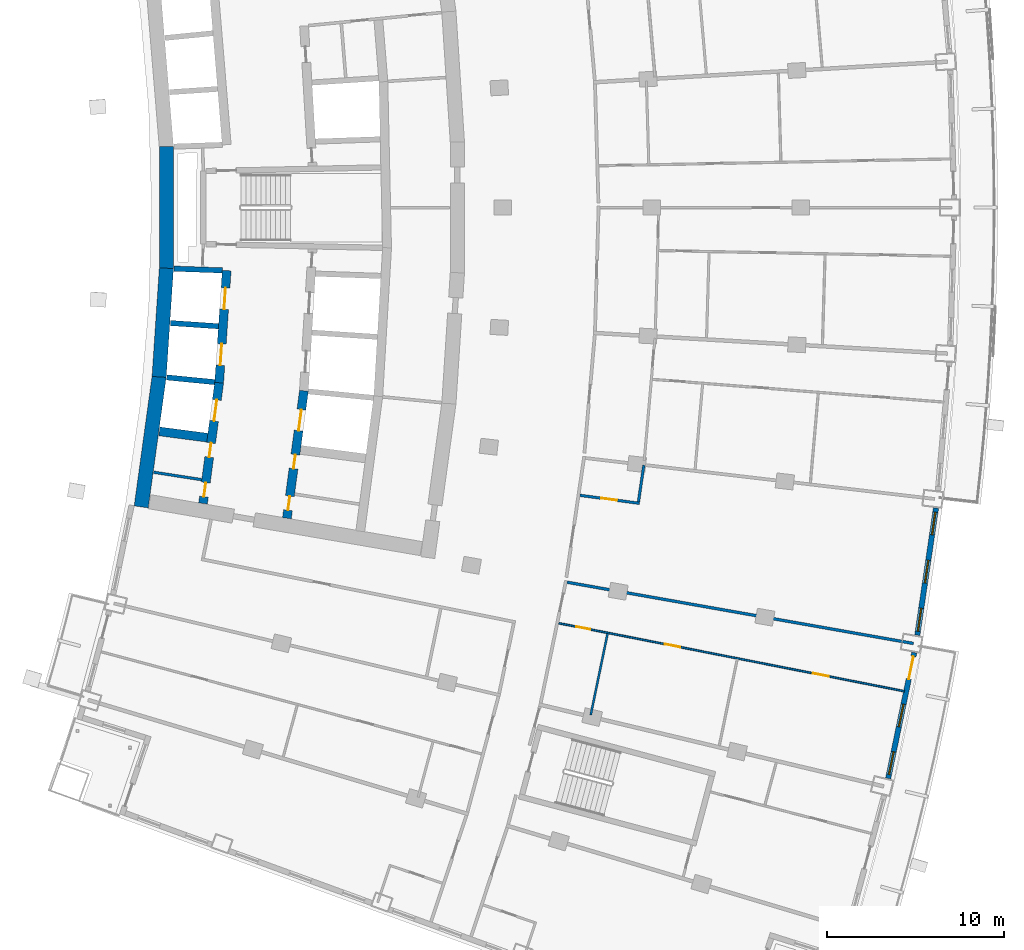
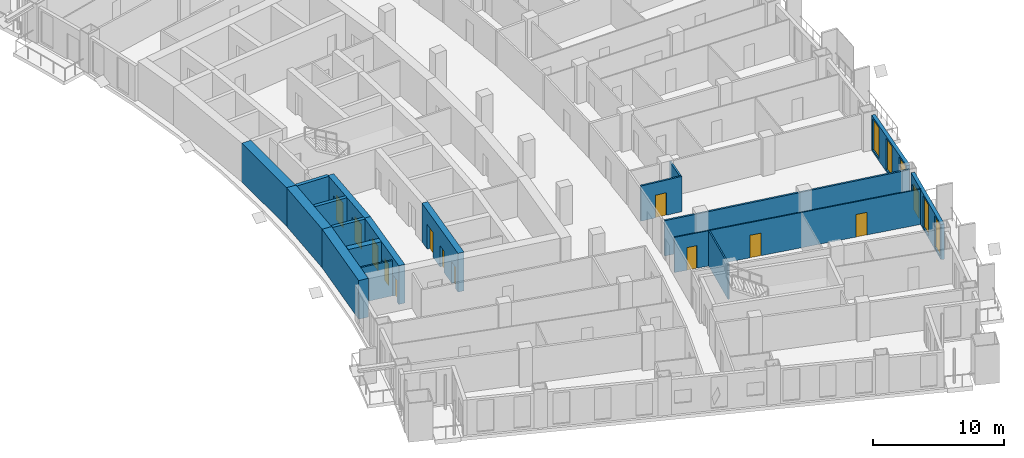
# One storey, part 15 of 25: 18 walls, 13 doors, 5 windows, 18 openings.
"""IFC4 building model written with IfcOpenShell, lengths in metres."""

from ifc_helpers import new_model, si_unit, direction, frame, frame_2d, origin, place, context, subcontext, project, spatial, rectangle, extrude, material, layer, layer_set, type_object, element, fill, save


model = new_model("IFC4")

# Units and contexts
model_context = context("Model", 3, precision=1e-05, world=origin(), true_north=direction((0.0, 1.0)))
body_context = subcontext(model_context, "Body", "Model", "MODEL_VIEW")
ifc_project = project(units=[si_unit("LENGTHUNIT", "METRE"), si_unit("AREAUNIT", "SQUARE_METRE"), si_unit("VOLUMEUNIT", "CUBIC_METRE"), si_unit("PLANEANGLEUNIT", "RADIAN"), si_unit("MASSUNIT", "GRAM", prefix="KILO")], contexts=[model_context])

# Site, building, storey
site_placement = place(None, origin())
site = spatial("IfcSite", under=ifc_project, at=site_placement, CompositionType="ELEMENT")
building_placement = place(site_placement, origin())
building = spatial("IfcBuilding", under=site, at=building_placement, Name="Alderwake Tower", CompositionType="ELEMENT")
storey_placement = place(building_placement, frame((0.0, 0.0, 111.199951171875)))
storey = spatial("IfcBuildingStorey", under=building, at=storey_placement, Name="L27", CompositionType="ELEMENT", Elevation=111.199951171875)

# Walls
ifc_material_1 = material(Name="Gypsum shaft wall system, rated")
ifc_layer_1 = layer(ifc_material_1, 0.14990234375)
ifc_layer_set_1 = layer_set([ifc_layer_1], Name="Core room partition 150")
wall_type_1 = type_object("IfcWallType", Name="Core room partition 150", PredefinedType="PARTITIONING", material=ifc_layer_set_1)
wall_1_placement = place(storey_placement, frame((16.122802734375, 46.082763671875, 0.0), z_axis=(0.0, 0.0, 1.0), x_axis=(0.988174136122, -0.153335829796, 0.0)))
element("IfcWall", 1, at=wall_1_placement, inside=storey, type_object=wall_type_1, Name="CW/L27/PR-161_+0", PredefinedType="PARTITIONING", context=body_context, shape_type="SweptSolid", body=[
    extrude(rectangle(XDim=2.740234375, YDim=0.14990234375, at=frame_2d((1.3701171875, 0.0))), origin(), (0.0, 0.0, 1.0), 3.280029296875),
])
ifc_material_2 = material(Name="Concrete C70/85", Category="concrete")
ifc_layer_2 = layer(ifc_material_2, 0.800048828125)
ifc_layer_set_2 = layer_set([ifc_layer_2], Name="Core wall outer 800 C70-85")
wall_type_2 = type_object("IfcWallType", Name="Core wall outer 800 C70-85", PredefinedType="SHEAR", material=ifc_layer_set_2)
wall_2_placement = place(storey_placement, frame((15.419921875, 44.12890625, 0.0), z_axis=(0.0, 0.0, 1.0), x_axis=(0.13634256868, 0.990661750531, 0.0)))
element("IfcWall", 2, at=wall_2_placement, inside=storey, type_object=wall_type_2, Name="Core wall CW.042", PredefinedType="SHEAR", context=body_context, shape_type="SweptSolid", body=[
    extrude(rectangle(XDim=7.42578125, YDim=0.800048828125, at=frame_2d((3.712890625, 0.0))), origin(), (0.0, 0.0, 1.0), 3.60009765625),
])
wall_3_placement = place(storey_placement, frame((16.429443359375, 51.45654296875, 0.0), z_axis=(0.0, 0.0, 1.0), x_axis=(0.066885651624, 0.997760647454, 0.0)))
element("IfcWall", 3, at=wall_3_placement, inside=storey, type_object=wall_type_2, Name="Core wall CW.041", PredefinedType="SHEAR", context=body_context, shape_type="SweptSolid", body=[
    extrude(rectangle(XDim=6.14306640625, YDim=0.800048828125, at=frame_2d((3.071533203125, 0.0))), origin(), (0.0, 0.0, 1.0), 3.60009765625),
])
wall_4_placement = place(storey_placement, frame((16.83935546875, 57.558349609375, 0.0), z_axis=(0.0, 0.0, 1.0), x_axis=(0.0, 1.0, 0.0)))
element("IfcWall", 4, at=wall_4_placement, inside=storey, type_object=wall_type_2, Name="Core wall CW.043", PredefinedType="SHEAR", context=body_context, shape_type="SweptSolid", body=[
    extrude(rectangle(XDim=6.886474609375, YDim=0.800048828125, at=frame_2d((3.443359375, 0.0))), origin(), (0.0, 0.0, 1.0), 3.60009765625),
])
ifc_material_3 = material(Name="Concrete C70/85", Category="concrete")
ifc_layer_3 = layer(ifc_material_3, 0.300048828125)
ifc_layer_set_3 = layer_set([ifc_layer_3], Name="Core wall shaft 300 C70-85")
wall_type_3 = type_object("IfcWallType", Name="Core wall shaft 300 C70-85", PredefinedType="SHEAR", material=ifc_layer_set_3)
wall_5_placement = place(storey_placement, frame((16.8583984375, 51.4287109375, 0.0), z_axis=(0.0, 0.0, 1.0), x_axis=(0.995157330456, -0.098294901394, 0.0)))
element("IfcWall", 5, at=wall_5_placement, inside=storey, type_object=wall_type_3, Name="Core wall CW.065", PredefinedType="SHEAR", context=body_context, shape_type="SweptSolid", body=[
    extrude(rectangle(XDim=2.7197265625, YDim=0.300048828125, at=frame_2d((1.35986328125, 0.0))), origin(), (0.0, 0.0, 1.0), 3.60009765625),
])
wall_6_placement = place(storey_placement, frame((17.06396484375, 54.492919921875, 0.0), z_axis=(0.0, 0.0, 1.0), x_axis=(0.997758851023, -0.066912444326, 0.0)))
element("IfcWall", 6, at=wall_6_placement, inside=storey, type_object=wall_type_3, Name="Core wall CW.079", PredefinedType="SHEAR", context=body_context, shape_type="SweptSolid", body=[
    extrude(rectangle(XDim=2.71826171875, YDim=0.300048828125, at=frame_2d((1.359130859375, 0.0))), origin(), (0.0, 0.0, 1.0), 3.60009765625),
])
wall_7_placement = place(storey_placement, frame((17.269287109375, 57.556884765625, 0.0), z_axis=(0.0, 0.0, 1.0), x_axis=(0.999374351644, -0.035368139275, 0.0)))
element("IfcWall", 7, at=wall_7_placement, inside=storey, type_object=wall_type_3, Name="Core wall CW.076", PredefinedType="SHEAR", context=body_context, shape_type="SweptSolid", body=[
    extrude(rectangle(XDim=2.7197265625, YDim=0.300048828125, at=frame_2d((1.35986328125, 0.0))), origin(), (0.0, 0.0, 1.0), 3.60009765625),
])

# Wall, openings, doors
ifc_material_4 = material(Name="Concrete C70/85", Category="concrete")
ifc_layer_4 = layer(ifc_material_4, 0.5)
ifc_layer_set_4 = layer_set([ifc_layer_4], Name="Core wall spine 500 C70-85")
wall_type_4 = type_object("IfcWallType", Name="Core wall spine 500 C70-85", PredefinedType="SHEAR", material=ifc_layer_set_4)
wall_8_placement = place(storey_placement, frame((19.81494140625, 51.145263671875, 0.0), z_axis=(0.0, 0.0, 1.0), x_axis=(-0.132349652161, -0.991203091991, 0.0)))
wall_8 = element("IfcWall", 8, at=wall_8_placement, inside=storey, type_object=wall_type_4, Name="Core wall CW.033", PredefinedType="SHEAR", context=body_context, shape_type="SweptSolid", body=[
    extrude(rectangle(XDim=6.880615234375, YDim=0.5, at=frame_2d((3.4404296875, 0.0))), origin(), (0.0, 0.0, 1.0), 3.60009765625),
])
opening_1_placement = place(wall_8_placement, frame((0.99072265625, 0.0, 0.0)))
opening_1 = element("IfcOpeningElement", 9, at=opening_1_placement, cuts=wall_8, Name="Opening LD-LP1", PredefinedType="OPENING", context=body_context, shape_type="SweptSolid", body=[
    extrude(rectangle(XDim=1.199951171875, YDim=2.300048828125, at=frame_2d((0.60009765625, 1.14990234375))), frame((0.0, 0.260009765625, 0.0), z_axis=(0.0, -1.0, 0.0), x_axis=(1.0, 0.0, 0.0)), (0.0, 0.0, 1.0), 0.52001953125),
])
opening_2_placement = place(wall_8_placement, frame((5.698486328125, 0.0, 0.0)))
opening_2 = element("IfcOpeningElement", 10, at=opening_2_placement, cuts=wall_8, Name="Opening C009", PredefinedType="OPENING", context=body_context, shape_type="SweptSolid", body=[
    extrude(rectangle(XDim=0.800048828125, YDim=2.0, at=frame_2d((0.39990234375, 1.0))), frame((0.0, 0.260009765625, 0.0), z_axis=(0.0, -1.0, 0.0), x_axis=(1.0, 0.0, 0.0)), (0.0, 0.0, 1.0), 0.52001953125),
])
opening_3_placement = place(wall_8_placement, frame((3.444580078125, 0.0, 0.0)))
opening_3 = element("IfcOpeningElement", 11, at=opening_3_placement, cuts=wall_8, Name="Opening C010", PredefinedType="OPENING", context=body_context, shape_type="SweptSolid", body=[
    extrude(rectangle(XDim=0.800048828125, YDim=2.0, at=frame_2d((0.39990234375, 1.0))), frame((0.0, 0.260009765625, 0.0), z_axis=(0.0, -1.0, 0.0), x_axis=(1.0, 0.0, 0.0)), (0.0, 0.0, 1.0), 0.52001953125),
])
ifc_material_5 = material(Name="Stainless steel sliding leaf", Category="steel")
door_type_1 = type_object("IfcDoorType", Name="Lift landing door 1200", OperationType="SLIDING_TO_LEFT", PredefinedType="DOOR", material=ifc_material_5)
door_1_placement = place(opening_1_placement, origin())
door_1 = element("IfcDoor", 12, at=door_1_placement, inside=storey, type_object=door_type_1, Name="Lift landing door LP1", OperationType="SLIDING_TO_LEFT", OverallHeight=2.300048828125, OverallWidth=1.199951171875, PredefinedType="DOOR", context=body_context, shape_type="SweptSolid", body=[
    extrude(rectangle(XDim=1.199951171875, YDim=2.300048828125, at=frame_2d((0.60009765625, 1.14990234375))), frame((0.0, 0.02490234375, 0.0), z_axis=(0.0, -1.0, 0.0), x_axis=(1.0, 0.0, 0.0)), (0.0, 0.0, 1.0), 0.050048828125),
])
fill(opening_1, door_1)
ifc_material_6 = material(Name="Painted steel leaf, rated", Category="steel")
door_type_2 = type_object("IfcDoorType", Name="Riser access door 800", OperationType="SINGLE_SWING_LEFT", PredefinedType="DOOR", material=ifc_material_6)
door_2_placement = place(opening_2_placement, origin())
door_2 = element("IfcDoor", 13, at=door_2_placement, inside=storey, type_object=door_type_2, Name="Riser access door", OperationType="SINGLE_SWING_LEFT", OverallHeight=2.0, OverallWidth=0.800048828125, PredefinedType="DOOR", context=body_context, shape_type="SweptSolid", body=[
    extrude(rectangle(XDim=0.800048828125, YDim=2.0, at=frame_2d((0.39990234375, 1.0))), frame((0.0, 0.02490234375, 0.0), z_axis=(0.0, -1.0, 0.0), x_axis=(1.0, 0.0, 0.0)), (0.0, 0.0, 1.0), 0.050048828125),
])
fill(opening_2, door_2)
door_3_placement = place(opening_3_placement, origin())
door_3 = element("IfcDoor", 14, at=door_3_placement, inside=storey, type_object=door_type_2, Name="Riser access door", OperationType="SINGLE_SWING_RIGHT", OverallHeight=2.0, OverallWidth=0.800048828125, PredefinedType="DOOR", context=body_context, shape_type="SweptSolid", body=[
    extrude(rectangle(XDim=0.800048828125, YDim=2.0, at=frame_2d((0.39990234375, 1.0))), frame((0.0, 0.02490234375, 0.0), z_axis=(0.0, -1.0, 0.0), x_axis=(1.0, 0.0, 0.0)), (0.0, 0.0, 1.0), 0.050048828125),
])
fill(opening_3, door_3)

wall_9_placement = place(storey_placement, frame((19.813232421875, 51.1279296875, 0.0), z_axis=(0.0, 0.0, 1.0), x_axis=(0.066907604831, 0.997759175561, 0.0)))
wall_9 = element("IfcWall", 15, at=wall_9_placement, inside=storey, type_object=wall_type_4, Name="Core wall CW.032", PredefinedType="SHEAR", context=body_context, shape_type="SweptSolid", body=[
    extrude(rectangle(XDim=6.338134765625, YDim=0.5, at=frame_2d((3.1689453125, 0.0))), origin(), (0.0, 0.0, 1.0), 3.60009765625),
])
opening_4_placement = place(wall_9_placement, frame((0.990966796875, 0.0, 0.0)))
opening_4 = element("IfcOpeningElement", 16, at=opening_4_placement, cuts=wall_9, Name="Opening LD-LP2", PredefinedType="OPENING", context=body_context, shape_type="SweptSolid", body=[
    extrude(rectangle(XDim=1.199951171875, YDim=2.300048828125, at=frame_2d((0.60009765625, 1.14990234375))), frame((0.0, 0.260009765625, 0.0), z_axis=(0.0, -1.0, 0.0), x_axis=(1.0, 0.0, 0.0)), (0.0, 0.0, 1.0), 0.52001953125),
])
opening_5_placement = place(wall_9_placement, frame((4.156005859375, 0.0, 0.0)))
opening_5 = element("IfcOpeningElement", 17, at=opening_5_placement, cuts=wall_9, Name="Opening LD-LP3", PredefinedType="OPENING", context=body_context, shape_type="SweptSolid", body=[
    extrude(rectangle(XDim=1.199951171875, YDim=2.300048828125, at=frame_2d((0.60009765625, 1.14990234375))), frame((0.0, 0.260009765625, 0.0), z_axis=(0.0, -1.0, 0.0), x_axis=(1.0, 0.0, 0.0)), (0.0, 0.0, 1.0), 0.52001953125),
])
door_4_placement = place(opening_4_placement, origin())
door_4 = element("IfcDoor", 18, at=door_4_placement, inside=storey, type_object=door_type_1, Name="Lift landing door LP2", OperationType="SLIDING_TO_LEFT", OverallHeight=2.300048828125, OverallWidth=1.199951171875, PredefinedType="DOOR", context=body_context, shape_type="SweptSolid", body=[
    extrude(rectangle(XDim=1.199951171875, YDim=2.300048828125, at=frame_2d((0.60009765625, 1.14990234375))), frame((0.0, 0.02490234375, 0.0), z_axis=(0.0, -1.0, 0.0), x_axis=(1.0, 0.0, 0.0)), (0.0, 0.0, 1.0), 0.050048828125),
])
fill(opening_4, door_4)
door_5_placement = place(opening_5_placement, origin())
door_5 = element("IfcDoor", 19, at=door_5_placement, inside=storey, type_object=door_type_1, Name="Lift landing door LP3", OperationType="SLIDING_TO_LEFT", OverallHeight=2.300048828125, OverallWidth=1.199951171875, PredefinedType="DOOR", context=body_context, shape_type="SweptSolid", body=[
    extrude(rectangle(XDim=1.199951171875, YDim=2.300048828125, at=frame_2d((0.60009765625, 1.14990234375))), frame((0.0, 0.02490234375, 0.0), z_axis=(0.0, -1.0, 0.0), x_axis=(1.0, 0.0, 0.0)), (0.0, 0.0, 1.0), 0.050048828125),
])
fill(opening_5, door_5)

wall_10_placement = place(storey_placement, frame((23.631103515625, 43.489501953125, 0.0), z_axis=(0.0, 0.0, 1.0), x_axis=(0.132532135635, 0.991178708924, 0.0)))
wall_10 = element("IfcWall", 20, at=wall_10_placement, inside=storey, type_object=wall_type_4, Name="Core wall CW.047", PredefinedType="SHEAR", context=body_context, shape_type="SweptSolid", body=[
    extrude(rectangle(XDim=7.248779296875, YDim=0.5, at=frame_2d((3.62451171875, 0.0))), origin(), (0.0, 0.0, 1.0), 3.60009765625),
])
opening_6_placement = place(wall_10_placement, frame((4.981201171875, 0.0, 0.0)))
opening_6 = element("IfcOpeningElement", 21, at=opening_6_placement, cuts=wall_10, Name="Opening LD-LP4", PredefinedType="OPENING", context=body_context, shape_type="SweptSolid", body=[
    extrude(rectangle(XDim=1.199951171875, YDim=2.300048828125, at=frame_2d((0.60009765625, 1.14990234375))), frame((0.0, 0.260009765625, 0.0), z_axis=(0.0, -1.0, 0.0), x_axis=(1.0, 0.0, 0.0)), (0.0, 0.0, 1.0), 0.52001953125),
])
opening_7_placement = place(wall_10_placement, frame((0.4580078125, 0.0, 0.0)))
opening_7 = element("IfcOpeningElement", 22, at=opening_7_placement, cuts=wall_10, Name="Opening C016", PredefinedType="OPENING", context=body_context, shape_type="SweptSolid", body=[
    extrude(rectangle(XDim=0.800048828125, YDim=2.0, at=frame_2d((0.39990234375, 1.0))), frame((0.0, 0.260009765625, 0.0), z_axis=(0.0, -1.0, 0.0), x_axis=(1.0, 0.0, 0.0)), (0.0, 0.0, 1.0), 0.52001953125),
])
opening_8_placement = place(wall_10_placement, frame((2.819580078125, 0.0, 0.0)))
opening_8 = element("IfcOpeningElement", 23, at=opening_8_placement, cuts=wall_10, Name="Opening C017", PredefinedType="OPENING", context=body_context, shape_type="SweptSolid", body=[
    extrude(rectangle(XDim=0.800048828125, YDim=2.0, at=frame_2d((0.39990234375, 1.0))), frame((0.0, 0.260009765625, 0.0), z_axis=(0.0, -1.0, 0.0), x_axis=(1.0, 0.0, 0.0)), (0.0, 0.0, 1.0), 0.52001953125),
])
door_6_placement = place(opening_6_placement, origin())
door_6 = element("IfcDoor", 24, at=door_6_placement, inside=storey, type_object=door_type_1, Name="Lift landing door LP4", OperationType="SLIDING_TO_LEFT", OverallHeight=2.300048828125, OverallWidth=1.199951171875, PredefinedType="DOOR", context=body_context, shape_type="SweptSolid", body=[
    extrude(rectangle(XDim=1.199951171875, YDim=2.300048828125, at=frame_2d((0.60009765625, 1.14990234375))), frame((0.0, 0.02490234375, 0.0), z_axis=(0.0, -1.0, 0.0), x_axis=(1.0, 0.0, 0.0)), (0.0, 0.0, 1.0), 0.050048828125),
])
fill(opening_6, door_6)
door_7_placement = place(opening_7_placement, origin())
door_7 = element("IfcDoor", 25, at=door_7_placement, inside=storey, type_object=door_type_2, Name="Riser access door", OperationType="SINGLE_SWING_LEFT", OverallHeight=2.0, OverallWidth=0.800048828125, PredefinedType="DOOR", context=body_context, shape_type="SweptSolid", body=[
    extrude(rectangle(XDim=0.800048828125, YDim=2.0, at=frame_2d((0.39990234375, 1.0))), frame((0.0, 0.02490234375, 0.0), z_axis=(0.0, -1.0, 0.0), x_axis=(1.0, 0.0, 0.0)), (0.0, 0.0, 1.0), 0.050048828125),
])
fill(opening_7, door_7)
door_8_placement = place(opening_8_placement, origin())
door_8 = element("IfcDoor", 26, at=door_8_placement, inside=storey, type_object=door_type_2, Name="Riser access door", OperationType="SINGLE_SWING_RIGHT", OverallHeight=2.0, OverallWidth=0.800048828125, PredefinedType="DOOR", context=body_context, shape_type="SweptSolid", body=[
    extrude(rectangle(XDim=0.800048828125, YDim=2.0, at=frame_2d((0.39990234375, 1.0))), frame((0.0, 0.02490234375, 0.0), z_axis=(0.0, -1.0, 0.0), x_axis=(1.0, 0.0, 0.0)), (0.0, 0.0, 1.0), 0.050048828125),
])
fill(opening_8, door_8)

# Walls
wall_11_placement = place(storey_placement, frame((16.43994140625, 48.38623046875, 0.0), z_axis=(0.0, 0.0, 1.0), x_axis=(0.991557472006, -0.129667959452, 0.0)))
element("IfcWall", 27, at=wall_11_placement, inside=storey, type_object=wall_type_4, Name="Core wall CW.067", PredefinedType="SHEAR", context=body_context, shape_type="SweptSolid", body=[
    extrude(rectangle(XDim=2.72998046875, YDim=0.5, at=frame_2d((1.364990234375, 0.0))), origin(), (0.0, 0.0, 1.0), 3.60009765625),
])
ifc_material_7 = material(Name="Gypsum board on metal studs, rated")
ifc_layer_5 = layer(ifc_material_7, 0.159912109375)
ifc_layer_set_5 = layer_set([ifc_layer_5], Name="Corridor wall 160")
wall_type_5 = type_object("IfcWallType", Name="Corridor wall 160", PredefinedType="PARTITIONING", material=ifc_layer_set_5)
wall_12_placement = place(storey_placement, frame((58.944091796875, 36.431884765625, 0.0), z_axis=(0.0, 0.0, 1.0), x_axis=(-0.984723605958, 0.174124725039, 0.0)))
element("IfcWall", 28, at=wall_12_placement, inside=storey, type_object=wall_type_5, Name="WL/L27/W43", PredefinedType="PARTITIONING", context=body_context, shape_type="SweptSolid", body=[
    extrude(rectangle(XDim=19.820068359375, YDim=0.159912109375, at=frame_2d((9.91015625, 0.0))), origin(), (0.0, 0.0, 1.0), 3.280029296875),
])

# Wall, openings, door, windows
ifc_material_8 = material(Name="Precast concrete C50/60 spandrel panel", Category="concrete")
ifc_layer_6 = layer(ifc_material_8, 0.300048828125)
ifc_layer_set_6 = layer_set([ifc_layer_6], Name="External wall EW1 Precast concrete C50/60 spandrel")
wall_type_6 = type_object("IfcWallType", Name="External wall EW1 Precast concrete C50/60 spandrel", PredefinedType="SOLIDWALL", material=ifc_layer_set_6)
wall_13_placement = place(storey_placement, frame((57.5234375, 28.828369140625, 0.0), z_axis=(0.0, 0.0, 1.0), x_axis=(0.202744971344, 0.97923157455, 0.0)))
wall_13 = element("IfcWall", 29, at=wall_13_placement, inside=storey, type_object=wall_type_6, Name="External wall 13", PredefinedType="SOLIDWALL", context=body_context, shape_type="SweptSolid", body=[
    extrude(rectangle(XDim=7.24072265625, YDim=0.300048828125, at=frame_2d((3.620361328125, 0.0))), origin(), (0.0, 0.0, 1.0), 3.280029296875),
])
opening_9_placement = place(wall_13_placement, frame((0.22900390625, 0.0, 0.199951171875)))
opening_9 = element("IfcOpeningElement", 30, at=opening_9_placement, cuts=wall_13, Name="Opening W1", PredefinedType="OPENING", context=body_context, shape_type="SweptSolid", body=[
    extrude(rectangle(XDim=1.300048828125, YDim=2.89990234375, at=frame_2d((0.64990234375, 1.449951171875))), frame((0.0, 0.159912109375, 0.0), z_axis=(0.0, -1.0, 0.0), x_axis=(1.0, 0.0, 0.0)), (0.0, 0.0, 1.0), 0.320068359375),
])
opening_10_placement = place(wall_13_placement, frame((2.970458984375, 0.0, 0.199951171875)))
opening_10 = element("IfcOpeningElement", 31, at=opening_10_placement, cuts=wall_13, Name="Opening W1", PredefinedType="OPENING", context=body_context, shape_type="SweptSolid", body=[
    extrude(rectangle(XDim=1.300048828125, YDim=2.89990234375, at=frame_2d((0.64990234375, 1.449951171875))), frame((0.0, 0.159912109375, 0.0), z_axis=(0.0, -1.0, 0.0), x_axis=(1.0, 0.0, 0.0)), (0.0, 0.0, 1.0), 0.320068359375),
])
opening_11_placement = place(wall_13_placement, frame((5.711669921875, 0.0, 0.0)))
opening_11 = element("IfcOpeningElement", 32, at=opening_11_placement, cuts=wall_13, Name="Opening D04", PredefinedType="OPENING", context=body_context, shape_type="SweptSolid", body=[
    extrude(rectangle(XDim=1.300048828125, YDim=2.39990234375, at=frame_2d((0.64990234375, 1.199951171875))), frame((0.0, 0.159912109375, 0.0), z_axis=(0.0, -1.0, 0.0), x_axis=(1.0, 0.0, 0.0)), (0.0, 0.0, 1.0), 0.320068359375),
])
ifc_material_9 = material(Name="Bronze tinted glass in aluminium frame", Category="aluminium")
door_type_3 = type_object("IfcDoorType", Name="Balcony door BD sliding", OperationType="SLIDING_TO_LEFT", PredefinedType="DOOR", material=ifc_material_9)
door_9_placement = place(opening_11_placement, origin())
door_9 = element("IfcDoor", 33, at=door_9_placement, inside=storey, type_object=door_type_3, Name="Door D04", OperationType="SLIDING_TO_LEFT", OverallHeight=2.39990234375, OverallWidth=1.300048828125, PredefinedType="DOOR", context=body_context, shape_type="SweptSolid", body=[
    extrude(rectangle(XDim=1.300048828125, YDim=2.39990234375, at=frame_2d((0.64990234375, 1.199951171875))), frame((0.0, 0.02490234375, 0.0), z_axis=(0.0, -1.0, 0.0), x_axis=(1.0, 0.0, 0.0)), (0.0, 0.0, 1.0), 0.050048828125),
])
fill(opening_11, door_9)
ifc_material_10 = material(Name="Bronze tinted glass in aluminium frame", Category="aluminium")
window_type = type_object("IfcWindowType", Name="Window W1 tall fixed and vent", PartitioningType="DOUBLE_PANEL_VERTICAL", PredefinedType="WINDOW", material=ifc_material_10)
window_1_placement = place(opening_9_placement, origin())
window_1 = element("IfcWindow", 34, at=window_1_placement, inside=storey, type_object=window_type, Name="Window W1 tall fixed and vent", OverallHeight=2.89990234375, OverallWidth=1.300048828125, PartitioningType="DOUBLE_PANEL_VERTICAL", PredefinedType="WINDOW", context=body_context, shape_type="SweptSolid", body=[
    extrude(rectangle(XDim=1.300048828125, YDim=2.89990234375, at=frame_2d((0.64990234375, 1.449951171875))), frame((0.0, 0.030029296875, 0.0), z_axis=(0.0, -1.0, 0.0), x_axis=(1.0, 0.0, 0.0)), (0.0, 0.0, 1.0), 0.06005859375),
])
fill(opening_9, window_1)
window_2_placement = place(opening_10_placement, origin())
window_2 = element("IfcWindow", 35, at=window_2_placement, inside=storey, type_object=window_type, Name="Window W1 tall fixed and vent", OverallHeight=2.89990234375, OverallWidth=1.300048828125, PartitioningType="DOUBLE_PANEL_VERTICAL", PredefinedType="WINDOW", context=body_context, shape_type="SweptSolid", body=[
    extrude(rectangle(XDim=1.300048828125, YDim=2.89990234375, at=frame_2d((0.64990234375, 1.449951171875))), frame((0.0, 0.030029296875, 0.0), z_axis=(0.0, -1.0, 0.0), x_axis=(1.0, 0.0, 0.0)), (0.0, 0.0, 1.0), 0.06005859375),
])
fill(opening_10, window_2)

# Wall, openings, windows
wall_14_placement = place(storey_placement, frame((59.1650390625, 36.90087890625, 0.0), z_axis=(0.0, 0.0, 1.0), x_axis=(0.145324114128, 0.989384102284, 0.0)))
wall_14 = element("IfcWall", 36, at=wall_14_placement, inside=storey, type_object=wall_type_6, Name="External wall 14", PredefinedType="SOLIDWALL", context=body_context, shape_type="SweptSolid", body=[
    extrude(rectangle(XDim=7.24072265625, YDim=0.300048828125, at=frame_2d((3.620361328125, 0.0))), origin(), (0.0, 0.0, 1.0), 3.280029296875),
])
opening_12_placement = place(wall_14_placement, frame((0.22900390625, 0.0, 0.199951171875)))
opening_12 = element("IfcOpeningElement", 37, at=opening_12_placement, cuts=wall_14, Name="Opening W1", PredefinedType="OPENING", context=body_context, shape_type="SweptSolid", body=[
    extrude(rectangle(XDim=1.300048828125, YDim=2.89990234375, at=frame_2d((0.64990234375, 1.449951171875))), frame((0.0, 0.159912109375, 0.0), z_axis=(0.0, -1.0, 0.0), x_axis=(1.0, 0.0, 0.0)), (0.0, 0.0, 1.0), 0.320068359375),
])
opening_13_placement = place(wall_14_placement, frame((2.97021484375, 0.0, 0.199951171875)))
opening_13 = element("IfcOpeningElement", 38, at=opening_13_placement, cuts=wall_14, Name="Opening W1", PredefinedType="OPENING", context=body_context, shape_type="SweptSolid", body=[
    extrude(rectangle(XDim=1.300048828125, YDim=2.89990234375, at=frame_2d((0.64990234375, 1.449951171875))), frame((0.0, 0.159912109375, 0.0), z_axis=(0.0, -1.0, 0.0), x_axis=(1.0, 0.0, 0.0)), (0.0, 0.0, 1.0), 0.320068359375),
])
opening_14_placement = place(wall_14_placement, frame((5.711669921875, 0.0, 0.199951171875)))
opening_14 = element("IfcOpeningElement", 39, at=opening_14_placement, cuts=wall_14, Name="Opening W1", PredefinedType="OPENING", context=body_context, shape_type="SweptSolid", body=[
    extrude(rectangle(XDim=1.300048828125, YDim=2.89990234375, at=frame_2d((0.64990234375, 1.449951171875))), frame((0.0, 0.159912109375, 0.0), z_axis=(0.0, -1.0, 0.0), x_axis=(1.0, 0.0, 0.0)), (0.0, 0.0, 1.0), 0.320068359375),
])
window_3_placement = place(opening_12_placement, origin())
window_3 = element("IfcWindow", 40, at=window_3_placement, inside=storey, type_object=window_type, Name="Window W1 tall fixed and vent", OverallHeight=2.89990234375, OverallWidth=1.300048828125, PartitioningType="DOUBLE_PANEL_VERTICAL", PredefinedType="WINDOW", context=body_context, shape_type="SweptSolid", body=[
    extrude(rectangle(XDim=1.300048828125, YDim=2.89990234375, at=frame_2d((0.64990234375, 1.449951171875))), frame((0.0, 0.030029296875, 0.0), z_axis=(0.0, -1.0, 0.0), x_axis=(1.0, 0.0, 0.0)), (0.0, 0.0, 1.0), 0.06005859375),
])
fill(opening_12, window_3)
window_4_placement = place(opening_13_placement, origin())
window_4 = element("IfcWindow", 41, at=window_4_placement, inside=storey, type_object=window_type, Name="Window W1 tall fixed and vent", OverallHeight=2.89990234375, OverallWidth=1.300048828125, PartitioningType="DOUBLE_PANEL_VERTICAL", PredefinedType="WINDOW", context=body_context, shape_type="SweptSolid", body=[
    extrude(rectangle(XDim=1.300048828125, YDim=2.89990234375, at=frame_2d((0.64990234375, 1.449951171875))), frame((0.0, 0.030029296875, 0.0), z_axis=(0.0, -1.0, 0.0), x_axis=(1.0, 0.0, 0.0)), (0.0, 0.0, 1.0), 0.06005859375),
])
fill(opening_13, window_4)
window_5_placement = place(opening_14_placement, origin())
window_5 = element("IfcWindow", 42, at=window_5_placement, inside=storey, type_object=window_type, Name="Window W1 tall fixed and vent", OverallHeight=2.89990234375, OverallWidth=1.300048828125, PartitioningType="DOUBLE_PANEL_VERTICAL", PredefinedType="WINDOW", context=body_context, shape_type="SweptSolid", body=[
    extrude(rectangle(XDim=1.300048828125, YDim=2.89990234375, at=frame_2d((0.64990234375, 1.449951171875))), frame((0.0, 0.030029296875, 0.0), z_axis=(0.0, -1.0, 0.0), x_axis=(1.0, 0.0, 0.0)), (0.0, 0.0, 1.0), 0.06005859375),
])
fill(opening_14, window_5)

# Wall, opening, door
ifc_material_11 = material(Name="Gypsum shaft wall system, rated")
ifc_layer_7 = layer(ifc_material_11, 0.14990234375)
ifc_layer_set_7 = layer_set([ifc_layer_7], Name="Riser and shaft wall 150")
wall_type_7 = type_object("IfcWallType", Name="Riser and shaft wall 150", PredefinedType="PARTITIONING", material=ifc_layer_set_7)
wall_15_placement = place(storey_placement, frame((40.147216796875, 44.7822265625, 0.0), z_axis=(0.0, 0.0, 1.0), x_axis=(0.991087891329, -0.133209577962, 0.0)))
wall_15 = element("IfcWall", 43, at=wall_15_placement, inside=storey, type_object=wall_type_7, Name="WL/L27/W14", PredefinedType="PARTITIONING", context=body_context, shape_type="SweptSolid", body=[
    extrude(rectangle(XDim=3.394287109375, YDim=0.14990234375, at=frame_2d((1.697265625, 0.0))), origin(), (0.0, 0.0, 1.0), 3.280029296875),
])
opening_15_placement = place(wall_15_placement, frame((1.209228515625, 0.0, 0.0)))
opening_15 = element("IfcOpeningElement", 44, at=opening_15_placement, cuts=wall_15, Name="Opening R07-AM1.2", PredefinedType="OPENING", context=body_context, shape_type="SweptSolid", body=[
    extrude(rectangle(XDim=0.89990234375, YDim=2.10009765625, at=frame_2d((0.449951171875, 1.050048828125))), frame((0.0, 0.0849609375, 0.0), z_axis=(0.0, -1.0, 0.0), x_axis=(1.0, 0.0, 0.0)), (0.0, 0.0, 1.0), 0.169921875),
])
ifc_material_12 = material(Name="Painted timber leaf", Category="wood")
door_type_4 = type_object("IfcDoorType", Name="Room door 900", OperationType="SINGLE_SWING_LEFT", PredefinedType="DOOR", material=ifc_material_12)
door_10_placement = place(opening_15_placement, origin())
door_10 = element("IfcDoor", 45, at=door_10_placement, inside=storey, type_object=door_type_4, Name="DR/L27/AM1.2", OperationType="SINGLE_SWING_LEFT", OverallHeight=2.10009765625, OverallWidth=0.89990234375, PredefinedType="DOOR", context=body_context, shape_type="SweptSolid", body=[
    extrude(rectangle(XDim=0.89990234375, YDim=2.10009765625, at=frame_2d((0.449951171875, 1.050048828125))), frame((0.0, 0.02490234375, 0.0), z_axis=(0.0, -1.0, 0.0), x_axis=(1.0, 0.0, 0.0)), (0.0, 0.0, 1.0), 0.050048828125),
])
fill(opening_15, door_10)

# Wall
wall_16_placement = place(storey_placement, frame((43.44775390625, 44.414306640625, 0.0), z_axis=(0.0, 0.0, 1.0), x_axis=(0.144502772087, 0.989504395573, 0.0)))
element("IfcWall", 46, at=wall_16_placement, inside=storey, type_object=wall_type_7, Name="WL/L27/W15", PredefinedType="PARTITIONING", context=body_context, shape_type="SweptSolid", body=[
    extrude(rectangle(XDim=2.0849609375, YDim=0.14990234375, at=frame_2d((1.04248046875, 0.0))), origin(), (0.0, 0.0, 1.0), 3.280029296875),
])

# Wall, openings, doors
ifc_material_13 = material(Name="Gypsum board on metal studs")
ifc_layer_8 = layer(ifc_material_13, 0.10009765625)
ifc_layer_set_8 = layer_set([ifc_layer_8], Name="Unit partition 100")
wall_type_8 = type_object("IfcWallType", Name="Unit partition 100", PredefinedType="PARTITIONING", material=ifc_layer_set_8)
wall_17_placement = place(storey_placement, frame((58.43701171875, 33.738037109375, 0.0), z_axis=(0.0, 0.0, 1.0), x_axis=(-0.98116765567, 0.193158047897, 0.0)))
wall_17 = element("IfcWall", 47, at=wall_17_placement, inside=storey, type_object=wall_type_8, Name="WL/L27/W71", PredefinedType="PARTITIONING", context=body_context, shape_type="SweptSolid", body=[
    extrude(rectangle(XDim=19.861572265625, YDim=0.10009765625, at=frame_2d((9.9306640625, 0.0))), origin(), (0.0, 0.0, 1.0), 3.280029296875),
])
opening_16_placement = place(wall_17_placement, frame((12.868896484375, 0.0, 0.0)))
opening_16 = element("IfcOpeningElement", 48, at=opening_16_placement, cuts=wall_17, Name="Opening R07-U05.1", PredefinedType="OPENING", context=body_context, shape_type="SweptSolid", body=[
    extrude(rectangle(XDim=0.89990234375, YDim=2.10009765625, at=frame_2d((0.449951171875, 1.050048828125))), frame((0.0, 0.06005859375, 0.0), z_axis=(0.0, -1.0, 0.0), x_axis=(1.0, 0.0, 0.0)), (0.0, 0.0, 1.0), 0.1201171875),
])
opening_17_placement = place(wall_17_placement, frame((18.052001953125, 0.0, 0.0)))
opening_17 = element("IfcOpeningElement", 49, at=opening_17_placement, cuts=wall_17, Name="Opening R07-U05.3", PredefinedType="OPENING", context=body_context, shape_type="SweptSolid", body=[
    extrude(rectangle(XDim=0.800048828125, YDim=2.10009765625, at=frame_2d((0.39990234375, 1.050048828125))), frame((0.0, 0.06005859375, 0.0), z_axis=(0.0, -1.0, 0.0), x_axis=(1.0, 0.0, 0.0)), (0.0, 0.0, 1.0), 0.1201171875),
])
opening_18_placement = place(wall_17_placement, frame((4.347412109375, 0.0, 0.0)))
opening_18 = element("IfcOpeningElement", 50, at=opening_18_placement, cuts=wall_17, Name="Opening R07-U05.4", PredefinedType="OPENING", context=body_context, shape_type="SweptSolid", body=[
    extrude(rectangle(XDim=0.89990234375, YDim=2.10009765625, at=frame_2d((0.449951171875, 1.050048828125))), frame((0.0, 0.06005859375, 0.0), z_axis=(0.0, -1.0, 0.0), x_axis=(1.0, 0.0, 0.0)), (0.0, 0.0, 1.0), 0.1201171875),
])
ifc_material_14 = material(Name="Painted timber leaf", Category="wood")
door_type_5 = type_object("IfcDoorType", Name="Bathroom door 800", OperationType="SINGLE_SWING_LEFT", PredefinedType="DOOR", material=ifc_material_14)
door_11_placement = place(opening_17_placement, origin())
door_11 = element("IfcDoor", 51, at=door_11_placement, inside=storey, type_object=door_type_5, Name="DR/L27/U05.3", OperationType="SINGLE_SWING_LEFT", OverallHeight=2.10009765625, OverallWidth=0.800048828125, PredefinedType="DOOR", context=body_context, shape_type="SweptSolid", body=[
    extrude(rectangle(XDim=0.800048828125, YDim=2.10009765625, at=frame_2d((0.39990234375, 1.050048828125))), frame((0.0, 0.02490234375, 0.0), z_axis=(0.0, -1.0, 0.0), x_axis=(1.0, 0.0, 0.0)), (0.0, 0.0, 1.0), 0.050048828125),
])
fill(opening_17, door_11)
door_12_placement = place(opening_16_placement, origin())
door_12 = element("IfcDoor", 52, at=door_12_placement, inside=storey, type_object=door_type_4, Name="DR/L27/U05.1", OperationType="SINGLE_SWING_LEFT", OverallHeight=2.10009765625, OverallWidth=0.89990234375, PredefinedType="DOOR", context=body_context, shape_type="SweptSolid", body=[
    extrude(rectangle(XDim=0.89990234375, YDim=2.10009765625, at=frame_2d((0.449951171875, 1.050048828125))), frame((0.0, 0.02490234375, 0.0), z_axis=(0.0, -1.0, 0.0), x_axis=(1.0, 0.0, 0.0)), (0.0, 0.0, 1.0), 0.050048828125),
])
fill(opening_16, door_12)
door_13_placement = place(opening_18_placement, origin())
door_13 = element("IfcDoor", 53, at=door_13_placement, inside=storey, type_object=door_type_4, Name="DR/L27/U05.4", OperationType="SINGLE_SWING_LEFT", OverallHeight=2.10009765625, OverallWidth=0.89990234375, PredefinedType="DOOR", context=body_context, shape_type="SweptSolid", body=[
    extrude(rectangle(XDim=0.89990234375, YDim=2.10009765625, at=frame_2d((0.449951171875, 1.050048828125))), frame((0.0, 0.02490234375, 0.0), z_axis=(0.0, -1.0, 0.0), x_axis=(1.0, 0.0, 0.0)), (0.0, 0.0, 1.0), 0.050048828125),
])
fill(opening_18, door_13)

# Wall
ifc_material_15 = material(Name="Moisture resistant gypsum board on metal studs")
ifc_layer_9 = layer(ifc_material_15, 0.1201171875)
ifc_layer_set_9 = layer_set([ifc_layer_9], Name="Wet room partition 120")
wall_type_9 = type_object("IfcWallType", Name="Wet room partition 120", PredefinedType="PARTITIONING", material=ifc_layer_set_9)
wall_18_placement = place(storey_placement, frame((40.75732421875, 32.402099609375, 0.0), z_axis=(0.0, 0.0, 1.0), x_axis=(0.202555554597, 0.97927077323, 0.0)))
element("IfcWall", 54, at=wall_18_placement, inside=storey, type_object=wall_type_9, Name="WL/L27/W54", PredefinedType="PARTITIONING", context=body_context, shape_type="SweptSolid", body=[
    extrude(rectangle(XDim=4.677734375, YDim=0.1201171875, at=frame_2d((2.3388671875, 0.0))), origin(), (0.0, 0.0, 1.0), 3.280029296875),
])

save(model, "model.ifc")
